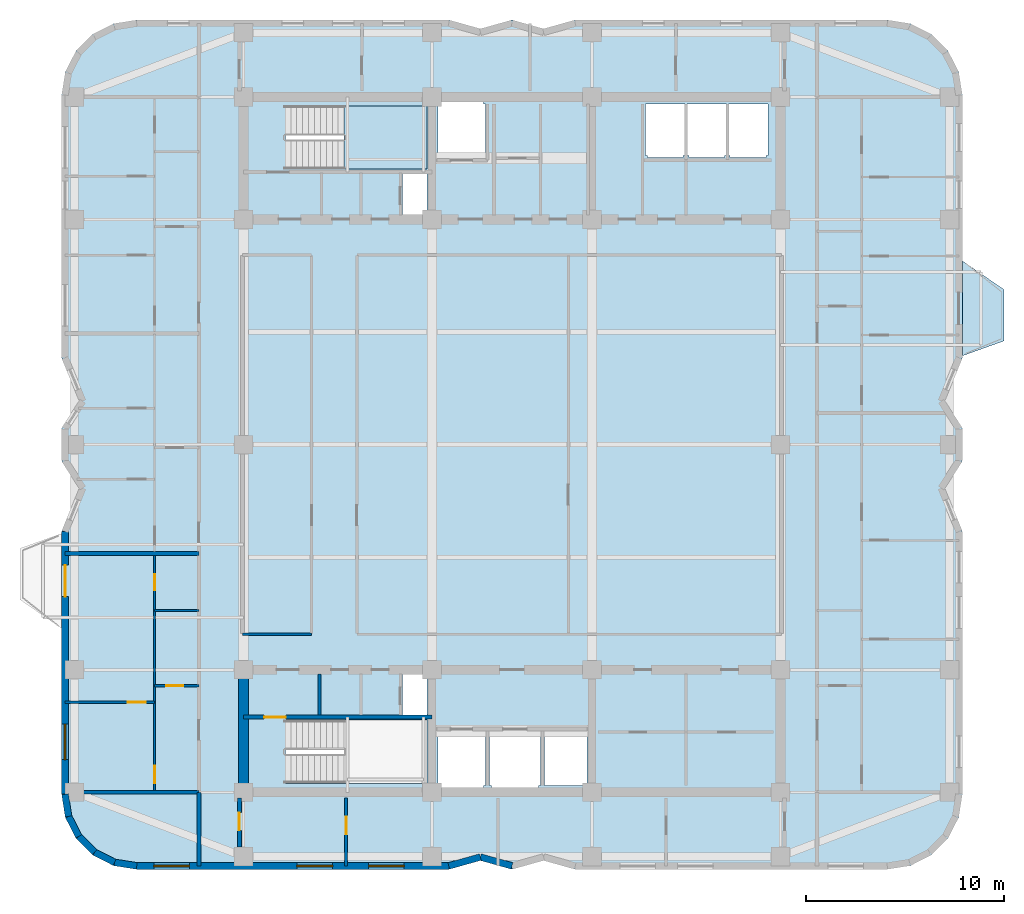
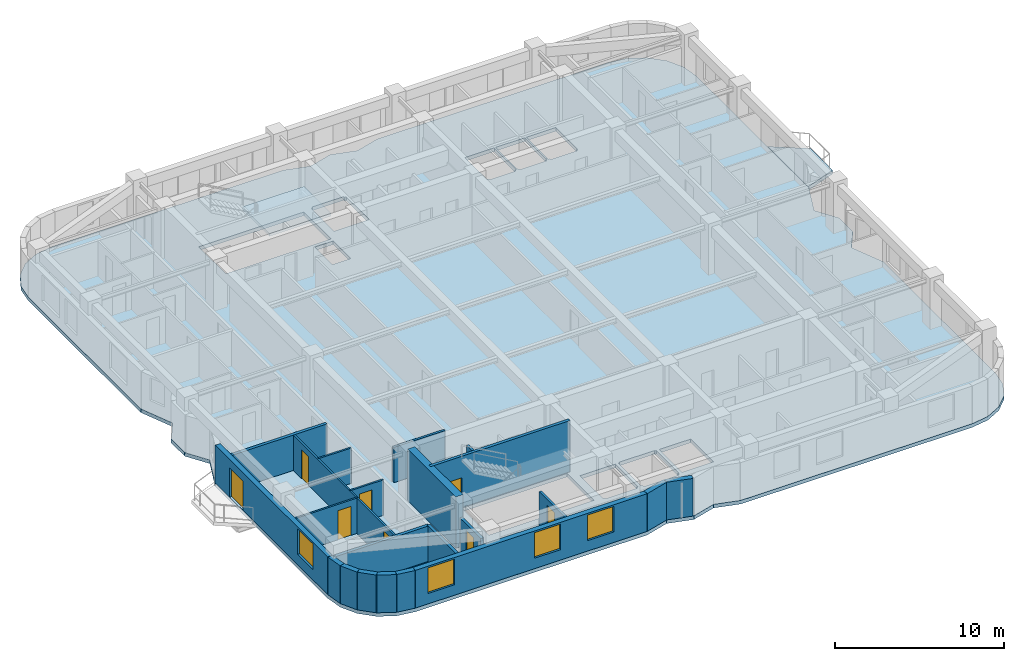
# One storey, part 2 of 9: 22 walls, 8 doors, 4 windows, 3 slabs, 12 openings, 1 element without a shape of its own.
"""IFC4 building model written with IfcOpenShell, lengths in metres."""

from ifc_helpers import new_model, si_unit, direction, frame, frame_2d, origin, place, context, subcontext, project, spatial, polyline, rectangle, outline, extrude, material, layer, layer_set, type_object, element, fill, aggregate, save


model = new_model("IFC4")

# Units and contexts
model_context = context("Model", 3, precision=1e-05, world=origin(), true_north=direction((0.0, 1.0)))
body_context = subcontext(model_context, "Body", "Model", "MODEL_VIEW")
ifc_project = project(units=[si_unit("LENGTHUNIT", "METRE"), si_unit("AREAUNIT", "SQUARE_METRE"), si_unit("VOLUMEUNIT", "CUBIC_METRE"), si_unit("PLANEANGLEUNIT", "RADIAN"), si_unit("MASSUNIT", "GRAM", prefix="KILO")], contexts=[model_context])

# Site, building, storey
site_placement = place(None, origin())
site = spatial("IfcSite", under=ifc_project, at=site_placement, CompositionType="ELEMENT")
building_placement = place(site_placement, origin())
building = spatial("IfcBuilding", under=site, at=building_placement, Name="Svetorya Sky Lyceum", CompositionType="ELEMENT")
storey_placement = place(building_placement, frame((0.0, 0.0, 162.60009765625)))
storey = spatial("IfcBuildingStorey", under=building, at=storey_placement, Name="L40", CompositionType="ELEMENT", Elevation=162.60009765625)

# Slab
ifc_material_1 = material(Name="Concrete C40/50", Category="concrete")
ifc_layer_1 = layer(ifc_material_1, 0.260009765625)
ifc_layer_set_1 = layer_set([ifc_layer_1], Name="Concrete C40/50")
slab_type_1 = type_object("IfcSlabType", Name="SL-BAL-260", PredefinedType="FLOOR", material=ifc_layer_set_1)
slab_1_placement = place(storey_placement, frame((0.0, 0.0, -0.260009765625)))
element("IfcSlab", 1, at=slab_1_placement, inside=storey, type_object=slab_type_1, Name="L40 Chamfered Loggia Balcony BAL-E1", PredefinedType="FLOOR", context=body_context, shape_type="SweptSolid", body=[
    extrude(outline(polyline([(62.010009765625, 32.699951171875), (64.110107421875, 33.449951171875), (64.110107421875, 36.050048828125), (62.010009765625, 37.5), (62.010009765625, 32.699951171875)])), origin(), (0.0, 0.0, 1.0), 0.260009765625),
])

# Stair, slab
stair_type = type_object("IfcStairType", Name="STR-ST-N", PredefinedType="HALF_TURN_STAIR", material=ifc_material_1)
stair_placement = place(storey_placement, origin())
stair = element("IfcStair", 2, at=stair_placement, inside=storey, type_object=stair_type, Name="L40 North Core Smoke-Free Exit Stair N3", PredefinedType="HALF_TURN_STAIR")
ifc_layer_2 = layer(ifc_material_1, 0.199951171875)
ifc_layer_set_2 = layer_set([ifc_layer_2], Name="Concrete C40/50")
slab_type_2 = type_object("IfcSlabType", Name="SL-STR-LAND-200", PredefinedType="LANDING", material=ifc_layer_set_2)
slab_2_placement = place(storey_placement, frame((0.0, 0.0, 1.64990234375)))
slab_2 = element("IfcSlab", 3, at=slab_2_placement, type_object=slab_type_2, Name="ST-N landing 1", PredefinedType="LANDING", context=body_context, shape_type="SweptSolid", body=[
    extrude(outline(polyline([(30.699951171875, 42.14990234375), (34.89990234375, 42.14990234375), (34.89990234375, 45.35009765625), (30.699951171875, 45.35009765625), (30.699951171875, 42.14990234375)])), origin(), (0.0, 0.0, 1.0), 0.199951171875),
])
aggregate(stair, [slab_2])

# Slab
ifc_material_2 = material(Name="Concrete C50/60", Category="concrete")
ifc_layer_3 = layer(ifc_material_2, 0.260009765625)
ifc_layer_set_3 = layer_set([ifc_layer_3], Name="Concrete C50/60")
slab_type_3 = type_object("IfcSlabType", Name="SL-TWR-260", PredefinedType="FLOOR", material=ifc_layer_set_3)
slab_3_placement = place(storey_placement, frame((0.0, 0.0, -0.260009765625)))
element("IfcSlab", 4, at=slab_3_placement, inside=storey, type_object=slab_type_3, Name="L40 Structural Floor Slab", PredefinedType="FLOOR", context=body_context, shape_type="SweptSolid", body=[
    extrude(outline(polyline([(16.39990234375, 10.5), (16.5859375, 9.32568359375), (17.125732421875, 8.266357421875), (17.96630859375, 7.42578125), (19.025634765625, 6.885986328125), (20.199951171875, 6.699951171875), (36.0, 6.699951171875), (37.60009765625, 7.14990234375), (39.199951171875, 6.699951171875), (40.800048828125, 7.14990234375), (42.39990234375, 6.699951171875), (58.199951171875, 6.699951171875), (59.374267578125, 6.885986328125), (60.43359375, 7.42578125), (61.2744140625, 8.266357421875), (61.81396484375, 9.32568359375), (62.0, 10.5), (62.0, 23.800048828125), (61.10009765625, 26.0), (62.0, 27.39990234375), (62.0, 29.0), (61.10009765625, 30.39990234375), (62.0, 32.60009765625), (62.0, 45.89990234375), (61.81396484375, 47.07421875), (61.2744140625, 48.133544921875), (60.43359375, 48.974365234375), (59.374267578125, 49.513916015625), (58.199951171875, 49.699951171875), (42.39990234375, 49.699951171875), (40.800048828125, 49.25), (39.199951171875, 49.699951171875), (37.60009765625, 49.25), (36.0, 49.699951171875), (20.199951171875, 49.699951171875), (19.025634765625, 49.513916015625), (17.96630859375, 48.974365234375), (17.125732421875, 48.133544921875), (16.5859375, 47.07421875), (16.39990234375, 45.89990234375), (16.39990234375, 32.60009765625), (17.300048828125, 30.39990234375), (16.39990234375, 29.0), (16.39990234375, 27.39990234375), (17.300048828125, 26.0), (16.39990234375, 23.800048828125), (16.39990234375, 10.5)]), holes=[polyline([(37.85009765625, 10.949951171875), (37.75, 10.949951171875), (37.75, 10.85009765625), (35.550048828125, 10.85009765625), (35.550048828125, 10.949951171875), (35.449951171875, 10.949951171875), (35.449951171875, 13.64990234375), (35.550048828125, 13.64990234375), (37.75, 13.64990234375), (37.85009765625, 13.64990234375), (37.85009765625, 10.949951171875)]), polyline([(38.14990234375, 10.800048828125), (38.14990234375, 10.949951171875), (38.050048828125, 10.949951171875), (38.050048828125, 13.64990234375), (38.14990234375, 13.64990234375), (38.14990234375, 13.699951171875), (40.550048828125, 13.699951171875), (40.550048828125, 13.64990234375), (40.64990234375, 13.64990234375), (40.64990234375, 10.949951171875), (40.550048828125, 10.949951171875), (40.550048828125, 10.800048828125), (38.14990234375, 10.800048828125)]), polyline([(27.719970703125, 11.050048828125), (27.719970703125, 14.25), (34.89990234375, 14.25), (34.89990234375, 11.050048828125), (27.719970703125, 11.050048828125)]), polyline([(33.64990234375, 14.52001953125), (33.64990234375, 16.580078125), (34.89990234375, 16.580078125), (34.89990234375, 14.52001953125), (33.64990234375, 14.52001953125)]), polyline([(33.64990234375, 39.820068359375), (33.64990234375, 41.89990234375), (34.89990234375, 41.89990234375), (34.89990234375, 39.820068359375), (33.64990234375, 39.820068359375)]), polyline([(27.719970703125, 42.14990234375), (27.719970703125, 45.35009765625), (34.89990234375, 45.35009765625), (34.89990234375, 42.14990234375), (27.719970703125, 42.14990234375)]), polyline([(37.75, 42.75), (35.550048828125, 42.75), (35.449951171875, 42.75), (35.449951171875, 45.449951171875), (35.550048828125, 45.449951171875), (35.550048828125, 45.550048828125), (37.75, 45.550048828125), (37.75, 45.449951171875), (37.85009765625, 45.449951171875), (37.85009765625, 42.75), (37.75, 42.75)]), polyline([(40.85009765625, 10.949951171875), (40.85009765625, 13.64990234375), (43.0, 13.64990234375), (43.0, 10.949951171875), (40.85009765625, 10.949951171875)]), polyline([(46.050048828125, 42.75), (46.050048828125, 42.85009765625), (45.949951171875, 42.85009765625), (45.949951171875, 45.449951171875), (46.050048828125, 45.449951171875), (47.85009765625, 45.449951171875), (47.949951171875, 45.449951171875), (47.949951171875, 42.85009765625), (47.85009765625, 42.85009765625), (47.85009765625, 42.75), (46.050048828125, 42.75)]), polyline([(50.050048828125, 42.85009765625), (49.949951171875, 42.85009765625), (49.949951171875, 42.75), (48.14990234375, 42.75), (48.14990234375, 42.85009765625), (48.050048828125, 42.85009765625), (48.050048828125, 45.449951171875), (48.14990234375, 45.449951171875), (49.949951171875, 45.449951171875), (50.050048828125, 45.449951171875), (50.050048828125, 42.85009765625)]), polyline([(52.14990234375, 42.85009765625), (52.050048828125, 42.85009765625), (52.050048828125, 42.75), (50.25, 42.75), (50.25, 42.85009765625), (50.14990234375, 42.85009765625), (50.14990234375, 45.449951171875), (50.25, 45.449951171875), (52.050048828125, 45.449951171875), (52.14990234375, 45.449951171875), (52.14990234375, 42.85009765625)])]), origin(), (0.0, 0.0, 1.0), 0.260009765625),
])

# Walls
ifc_layer_4 = layer(ifc_material_2, 0.5)
ifc_layer_set_4 = layer_set([ifc_layer_4], Name="Concrete C50/60")
wall_type_1 = type_object("IfcWallType", Name="WL-CORE-500", PredefinedType="SHEAR", material=ifc_layer_set_4)
wall_1_placement = place(storey_placement, frame((25.60009765625, 10.85009765625, 0.0), z_axis=(0.0, 0.0, 1.0), x_axis=(0.0, 1.0, 0.0)))
element("IfcWall", 5, at=wall_1_placement, inside=storey, type_object=wall_type_1, Name="L40 SC West Core Shear Wall", PredefinedType="SHEAR", context=body_context, shape_type="SweptSolid", body=[
    extrude(rectangle(XDim=5.699951171875, YDim=0.5, at=frame_2d((2.85009765625, 0.0))), origin(), (0.0, 0.0, 1.0), 3.699951171875),
])
ifc_material_3 = material(Name="Putilovo limestone rainscreen on autoclaved cellular masonry", Category="masonry")
ifc_layer_5 = layer(ifc_material_3, 0.340087890625)
ifc_layer_set_5 = layer_set([ifc_layer_5], Name="Putilovo limestone rainscreen on autoclaved cellular masonry")
wall_type_2 = type_object("IfcWallType", Name="WL-EXT-340", PredefinedType="SOLIDWALL", material=ifc_layer_set_5)
wall_2_placement = place(storey_placement, frame((16.570068359375, 10.5, 0.0), z_axis=(0.0, 0.0, 1.0), x_axis=(0.156514556949, -0.987675651954, 0.0)))
element("IfcWall", 6, at=wall_2_placement, inside=storey, type_object=wall_type_2, Name="L40 Limestone Exterior Wall 1M", PredefinedType="SOLIDWALL", context=body_context, shape_type="SweptSolid", body=[
    extrude(rectangle(XDim=1.135498046875, YDim=0.340087890625, at=frame_2d((0.56787109375, 0.0))), origin(), (0.0, 0.0, 1.0), 2.719970703125),
])
for number, where, z_axis, x_axis, name in (
    (7, (16.747802734375, 9.37841796875, 0.0), (0.0, 0.0, 1.0), (0.45373580117, -0.891136253744, 0.0), "L40 Limestone Exterior Wall 2M"),
    (8, (17.26318359375, 8.3662109375, 0.0), (0.0, 0.0, 1.0), (0.707214252388, -0.706999293649, 0.0), "L40 Limestone Exterior Wall 3M"),
    (9, (18.06640625, 7.563232421875, 0.0), (0.0, 0.0, 1.0), (0.891005044957, -0.453993402883, 0.0), "L40 Limestone Exterior Wall 4M"),
):
    element("IfcWall", number, at=place(storey_placement, frame(where, z_axis=z_axis, x_axis=x_axis)), inside=storey, type_object=wall_type_2, Name=name, PredefinedType="SOLIDWALL", context=body_context, shape_type="SweptSolid", body=[
        extrude(rectangle(XDim=1.1357421875, YDim=0.340087890625, at=frame_2d((0.56787109375, 0.0))), origin(), (0.0, 0.0, 1.0), 2.719970703125),
    ])
wall_3_placement = place(storey_placement, frame((19.078369140625, 7.047607421875, 0.0), z_axis=(0.0, 0.0, 1.0), x_axis=(0.987708865555, -0.156304820474, 0.0)))
element("IfcWall", 10, at=wall_3_placement, inside=storey, type_object=wall_type_2, Name="L40 Limestone Exterior Wall 5M", PredefinedType="SOLIDWALL", context=body_context, shape_type="SweptSolid", body=[
    extrude(rectangle(XDim=1.135498046875, YDim=0.340087890625, at=frame_2d((0.56787109375, 0.0))), origin(), (0.0, 0.0, 1.0), 2.719970703125),
])

# Wall, openings, windows
wall_4_placement = place(storey_placement, frame((20.199951171875, 6.8701171875, 0.0), z_axis=(0.0, 0.0, 1.0), x_axis=(1.0, 0.0, 0.0)))
wall_4 = element("IfcWall", 11, at=wall_4_placement, inside=storey, type_object=wall_type_2, Name="L40 Limestone Exterior Wall 6M", PredefinedType="SOLIDWALL", context=body_context, shape_type="SweptSolid", body=[
    extrude(rectangle(XDim=15.800048828125, YDim=0.340087890625, at=frame_2d((7.89990234375, 0.0))), origin(), (0.0, 0.0, 1.0), 2.719970703125),
])
opening_1_placement = place(wall_4_placement, frame((0.862548828125, 0.0, 0.75)))
opening_1 = element("IfcOpeningElement", 12, at=opening_1_placement, cuts=wall_4, Name="Opening W-R1", PredefinedType="OPENING", context=body_context, shape_type="SweptSolid", body=[
    extrude(rectangle(XDim=1.800048828125, YDim=1.85009765625, at=frame_2d((0.89990234375, 0.925048828125))), frame((0.0, 0.179931640625, 0.0), z_axis=(0.0, -1.0, 0.0), x_axis=(1.0, 0.0, 0.0)), (0.0, 0.0, 1.0), 0.360107421875),
])
opening_2_placement = place(wall_4_placement, frame((8.112548828125, 0.0, 0.75)))
opening_2 = element("IfcOpeningElement", 13, at=opening_2_placement, cuts=wall_4, Name="Opening W-R1", PredefinedType="OPENING", context=body_context, shape_type="SweptSolid", body=[
    extrude(rectangle(XDim=1.800048828125, YDim=1.85009765625, at=frame_2d((0.89990234375, 0.925048828125))), frame((0.0, 0.179931640625, 0.0), z_axis=(0.0, -1.0, 0.0), x_axis=(1.0, 0.0, 0.0)), (0.0, 0.0, 1.0), 0.360107421875),
])
opening_3_placement = place(wall_4_placement, frame((11.737548828125, 0.0, 0.75)))
opening_3 = element("IfcOpeningElement", 14, at=opening_3_placement, cuts=wall_4, Name="Opening W-R1", PredefinedType="OPENING", context=body_context, shape_type="SweptSolid", body=[
    extrude(rectangle(XDim=1.800048828125, YDim=1.85009765625, at=frame_2d((0.89990234375, 0.925048828125))), frame((0.0, 0.179931640625, 0.0), z_axis=(0.0, -1.0, 0.0), x_axis=(1.0, 0.0, 0.0)), (0.0, 0.0, 1.0), 0.360107421875),
])
ifc_material_4 = material(Name="Thermally broken aluminium frame with triple low-E glazing", Category="aluminium")
window_type = type_object("IfcWindowType", Name="WN-RES-180", PartitioningType="DOUBLE_PANEL_VERTICAL", PredefinedType="WINDOW", material=ifc_material_4)
window_1_placement = place(opening_1_placement, origin())
window_1 = element("IfcWindow", 15, at=window_1_placement, inside=storey, type_object=window_type, Name="L40 Facade Window W-R1.6M.1", OverallHeight=1.85009765625, OverallWidth=1.800048828125, PartitioningType="SINGLE_PANEL", PredefinedType="WINDOW", context=body_context, shape_type="SweptSolid", body=[
    extrude(rectangle(XDim=1.800048828125, YDim=1.85009765625, at=frame_2d((0.89990234375, 0.925048828125))), frame((0.0, 0.030029296875, 0.0), z_axis=(0.0, -1.0, 0.0), x_axis=(1.0, 0.0, 0.0)), (0.0, 0.0, 1.0), 0.06005859375),
])
fill(opening_1, window_1)
window_2_placement = place(opening_2_placement, origin())
window_2 = element("IfcWindow", 16, at=window_2_placement, inside=storey, type_object=window_type, Name="L40 Facade Window W-R1.6M.2", OverallHeight=1.85009765625, OverallWidth=1.800048828125, PartitioningType="SINGLE_PANEL", PredefinedType="WINDOW", context=body_context, shape_type="SweptSolid", body=[
    extrude(rectangle(XDim=1.800048828125, YDim=1.85009765625, at=frame_2d((0.89990234375, 0.925048828125))), frame((0.0, 0.030029296875, 0.0), z_axis=(0.0, -1.0, 0.0), x_axis=(1.0, 0.0, 0.0)), (0.0, 0.0, 1.0), 0.06005859375),
])
fill(opening_2, window_2)
window_3_placement = place(opening_3_placement, origin())
window_3 = element("IfcWindow", 17, at=window_3_placement, inside=storey, type_object=window_type, Name="L40 Facade Window W-R1.6M.3", OverallHeight=1.85009765625, OverallWidth=1.800048828125, PartitioningType="SINGLE_PANEL", PredefinedType="WINDOW", context=body_context, shape_type="SweptSolid", body=[
    extrude(rectangle(XDim=1.800048828125, YDim=1.85009765625, at=frame_2d((0.89990234375, 0.925048828125))), frame((0.0, 0.030029296875, 0.0), z_axis=(0.0, -1.0, 0.0), x_axis=(1.0, 0.0, 0.0)), (0.0, 0.0, 1.0), 0.06005859375),
])
fill(opening_3, window_3)

# Walls
wall_5_placement = place(storey_placement, frame((36.0, 6.8701171875, 0.0), z_axis=(0.0, 0.0, 1.0), x_axis=(0.962662902433, 0.270703040766, 0.0)))
element("IfcWall", 18, at=wall_5_placement, inside=storey, type_object=wall_type_2, Name="L40 Limestone Exterior Wall 7M", PredefinedType="SOLIDWALL", context=body_context, shape_type="SweptSolid", body=[
    extrude(rectangle(XDim=1.662109375, YDim=0.340087890625, at=frame_2d((0.8310546875, 0.0))), origin(), (0.0, 0.0, 1.0), 2.719970703125),
])
wall_6_placement = place(storey_placement, frame((37.60009765625, 7.320068359375, 0.0), z_axis=(0.0, 0.0, 1.0), x_axis=(0.962652136636, -0.270741322725, 0.0)))
element("IfcWall", 19, at=wall_6_placement, inside=storey, type_object=wall_type_2, Name="L40 Limestone Exterior Wall 8M", PredefinedType="SOLIDWALL", context=body_context, shape_type="SweptSolid", body=[
    extrude(rectangle(XDim=1.661865234375, YDim=0.340087890625, at=frame_2d((0.8310546875, 0.0))), origin(), (0.0, 0.0, 1.0), 2.719970703125),
])

# Wall, openings, door, window
wall_7_placement = place(storey_placement, frame((16.570068359375, 23.800048828125, 0.0), z_axis=(0.0, 0.0, 1.0), x_axis=(0.0, -1.0, 0.0)))
wall_7 = element("IfcWall", 20, at=wall_7_placement, inside=storey, type_object=wall_type_2, Name="L40 Limestone Exterior Wall 46M", PredefinedType="SOLIDWALL", context=body_context, shape_type="SweptSolid", body=[
    extrude(rectangle(XDim=13.300048828125, YDim=0.340087890625, at=frame_2d((6.64990234375, 0.0))), origin(), (0.0, 0.0, 1.0), 2.719970703125),
])
opening_4_placement = place(wall_7_placement, frame((1.699951171875, 0.0, 0.0)))
opening_4 = element("IfcOpeningElement", 21, at=opening_4_placement, cuts=wall_7, Name="Opening D-BL1", PredefinedType="OPENING", context=body_context, shape_type="SweptSolid", body=[
    extrude(rectangle(XDim=1.60009765625, YDim=2.10009765625, at=frame_2d((0.800048828125, 1.050048828125))), frame((0.0, 0.179931640625, 0.0), z_axis=(0.0, -1.0, 0.0), x_axis=(1.0, 0.0, 0.0)), (0.0, 0.0, 1.0), 0.360107421875),
])
opening_5_placement = place(wall_7_placement, frame((9.75, 0.0, 0.75)))
opening_5 = element("IfcOpeningElement", 22, at=opening_5_placement, cuts=wall_7, Name="Opening W-R1", PredefinedType="OPENING", context=body_context, shape_type="SweptSolid", body=[
    extrude(rectangle(XDim=1.800048828125, YDim=1.85009765625, at=frame_2d((0.89990234375, 0.925048828125))), frame((0.0, 0.179931640625, 0.0), z_axis=(0.0, -1.0, 0.0), x_axis=(1.0, 0.0, 0.0)), (0.0, 0.0, 1.0), 0.360107421875),
])
ifc_material_5 = material(Name="Insulated glazed aluminium balcony door", Category="aluminium")
door_type_1 = type_object("IfcDoorType", Name="DR-BAL-1600", OperationType="DOUBLE_DOOR_SINGLE_SWING", PredefinedType="DOOR", material=ifc_material_5)
door_1_placement = place(opening_4_placement, origin())
door_1 = element("IfcDoor", 23, at=door_1_placement, inside=storey, type_object=door_type_1, Name="L40 Balcony BAL-W1 Door", OperationType="DOUBLE_DOOR_SINGLE_SWING", OverallHeight=2.10009765625, OverallWidth=1.60009765625, PredefinedType="DOOR", context=body_context, shape_type="SweptSolid", body=[
    extrude(rectangle(XDim=1.60009765625, YDim=2.10009765625, at=frame_2d((0.800048828125, 1.050048828125))), frame((0.0, 0.02490234375, 0.0), z_axis=(0.0, -1.0, 0.0), x_axis=(1.0, 0.0, 0.0)), (0.0, 0.0, 1.0), 0.050048828125),
])
fill(opening_4, door_1)
window_4_placement = place(opening_5_placement, origin())
window_4 = element("IfcWindow", 24, at=window_4_placement, inside=storey, type_object=window_type, Name="L40 Facade Window W-R1.46M.1", OverallHeight=1.85009765625, OverallWidth=1.800048828125, PartitioningType="SINGLE_PANEL", PredefinedType="WINDOW", context=body_context, shape_type="SweptSolid", body=[
    extrude(rectangle(XDim=1.800048828125, YDim=1.85009765625, at=frame_2d((0.89990234375, 0.925048828125))), frame((0.0, 0.030029296875, 0.0), z_axis=(0.0, -1.0, 0.0), x_axis=(1.0, 0.0, 0.0)), (0.0, 0.0, 1.0), 0.06005859375),
])
fill(opening_5, window_4)

# Wall, opening, door
ifc_material_6 = material(Name="Twin-stud galvanized framing with double fireboard", Category="gypsum")
ifc_layer_6 = layer(ifc_material_6, 0.1201171875)
ifc_layer_set_6 = layer_set([ifc_layer_6], Name="Twin-stud galvanized framing with double fireboard")
wall_type_3 = type_object("IfcWallType", Name="WL-PART-120", PredefinedType="PARTITIONING", material=ifc_layer_set_6)
wall_8_placement = place(storey_placement, frame((21.10009765625, 16.0, 0.0), z_axis=(0.0, 0.0, 1.0), x_axis=(1.0, 0.0, 0.0)))
wall_8 = element("IfcWall", 25, at=wall_8_placement, inside=storey, type_object=wall_type_3, Name="L40 Interior Partition W1-WH1", PredefinedType="PARTITIONING", context=body_context, shape_type="SweptSolid", body=[
    extrude(rectangle(XDim=2.25, YDim=0.1201171875, at=frame_2d((1.125, 0.0))), origin(), (0.0, 0.0, 1.0), 2.5498046875),
])
opening_6_placement = place(wall_8_placement, frame((0.60009765625, 0.0, 0.0)))
opening_6 = element("IfcOpeningElement", 26, at=opening_6_placement, cuts=wall_8, Name="Opening D-BT1", PredefinedType="OPENING", context=body_context, shape_type="SweptSolid", body=[
    extrude(rectangle(XDim=0.85009765625, YDim=2.10009765625, at=frame_2d((0.425048828125, 1.050048828125))), frame((0.0, 0.070068359375, 0.0), z_axis=(0.0, -1.0, 0.0), x_axis=(1.0, 0.0, 0.0)), (0.0, 0.0, 1.0), 0.14013671875),
])
ifc_material_7 = material(Name="Moisture-resistant laminate bathroom door")
door_type_2 = type_object("IfcDoorType", Name="DR-WET-850", OperationType="SINGLE_SWING_LEFT", PredefinedType="DOOR", material=ifc_material_7)
door_2_placement = place(opening_6_placement, origin())
door_2 = element("IfcDoor", 27, at=door_2_placement, inside=storey, type_object=door_type_2, Name="Apartment W1 Bathroom Door", OperationType="SINGLE_SWING_LEFT", OverallHeight=2.10009765625, OverallWidth=0.85009765625, PredefinedType="DOOR", context=body_context, shape_type="SweptSolid", body=[
    extrude(rectangle(XDim=0.85009765625, YDim=2.10009765625, at=frame_2d((0.425048828125, 1.050048828125))), frame((0.0, 0.02490234375, 0.0), z_axis=(0.0, -1.0, 0.0), x_axis=(1.0, 0.0, 0.0)), (0.0, 0.0, 1.0), 0.050048828125),
])
fill(opening_6, door_2)

# Wall
wall_9_placement = place(storey_placement, frame((21.10009765625, 19.800048828125, 0.0), z_axis=(0.0, 0.0, 1.0), x_axis=(1.0, 0.0, 0.0)))
element("IfcWall", 28, at=wall_9_placement, inside=storey, type_object=wall_type_3, Name="L40 Interior Partition W1-WH2", PredefinedType="PARTITIONING", context=body_context, shape_type="SweptSolid", body=[
    extrude(rectangle(XDim=2.25, YDim=0.1201171875, at=frame_2d((1.125, 0.0))), origin(), (0.0, 0.0, 1.0), 2.5498046875),
])

# Wall, opening, door
wall_10_placement = place(storey_placement, frame((16.570068359375, 15.14990234375, 0.0), z_axis=(0.0, 0.0, 1.0), x_axis=(1.0, 0.0, 0.0)))
wall_10 = element("IfcWall", 29, at=wall_10_placement, inside=storey, type_object=wall_type_3, Name="L40 Interior Partition W1-WL1", PredefinedType="PARTITIONING", context=body_context, shape_type="SweptSolid", body=[
    extrude(rectangle(XDim=4.530029296875, YDim=0.1201171875, at=frame_2d((2.26513671875, 0.0))), origin(), (0.0, 0.0, 1.0), 2.5498046875),
])
opening_7_placement = place(wall_10_placement, frame((3.179931640625, 0.0, 0.0)))
opening_7 = element("IfcOpeningElement", 30, at=opening_7_placement, cuts=wall_10, Name="Opening D-RM1", PredefinedType="OPENING", context=body_context, shape_type="SweptSolid", body=[
    extrude(rectangle(XDim=0.89990234375, YDim=2.10009765625, at=frame_2d((0.449951171875, 1.050048828125))), frame((0.0, 0.070068359375, 0.0), z_axis=(0.0, -1.0, 0.0), x_axis=(1.0, 0.0, 0.0)), (0.0, 0.0, 1.0), 0.14013671875),
])
ifc_material_8 = material(Name="Lacquered birch veneer internal door")
door_type_3 = type_object("IfcDoorType", Name="DR-INT-900", OperationType="SINGLE_SWING_LEFT", PredefinedType="DOOR", material=ifc_material_8)
door_3_placement = place(opening_7_placement, origin())
door_3 = element("IfcDoor", 31, at=door_3_placement, inside=storey, type_object=door_type_3, Name="Apartment W1 Bedroom 1 Door", OperationType="SINGLE_SWING_LEFT", OverallHeight=2.10009765625, OverallWidth=0.89990234375, PredefinedType="DOOR", context=body_context, shape_type="SweptSolid", body=[
    extrude(rectangle(XDim=0.89990234375, YDim=2.10009765625, at=frame_2d((0.449951171875, 1.050048828125))), frame((0.0, 0.02490234375, 0.0), z_axis=(0.0, -1.0, 0.0), x_axis=(1.0, 0.0, 0.0)), (0.0, 0.0, 1.0), 0.050048828125),
])
fill(opening_7, door_3)

# Wall, openings, doors
wall_11_placement = place(storey_placement, frame((21.10009765625, 10.639892578125, 0.0), z_axis=(0.0, 0.0, 1.0), x_axis=(0.0, 1.0, 0.0)))
wall_11 = element("IfcWall", 32, at=wall_11_placement, inside=storey, type_object=wall_type_3, Name="L40 Interior Partition W1-WV", PredefinedType="PARTITIONING", context=body_context, shape_type="SweptSolid", body=[
    extrude(rectangle(XDim=12.02001953125, YDim=0.1201171875, at=frame_2d((6.010009765625, 0.0))), origin(), (0.0, 0.0, 1.0), 2.5498046875),
])
opening_8_placement = place(wall_11_placement, frame((0.409912109375, 0.0, 0.0)))
opening_8 = element("IfcOpeningElement", 33, at=opening_8_placement, cuts=wall_11, Name="Opening D-RM1", PredefinedType="OPENING", context=body_context, shape_type="SweptSolid", body=[
    extrude(rectangle(XDim=0.89990234375, YDim=2.10009765625, at=frame_2d((0.449951171875, 1.050048828125))), frame((0.0, 0.070068359375, 0.0), z_axis=(0.0, -1.0, 0.0), x_axis=(1.0, 0.0, 0.0)), (0.0, 0.0, 1.0), 0.14013671875),
])
opening_9_placement = place(wall_11_placement, frame((10.18505859375, 0.0, 0.0)))
opening_9 = element("IfcOpeningElement", 34, at=opening_9_placement, cuts=wall_11, Name="Opening D-BT2", PredefinedType="OPENING", context=body_context, shape_type="SweptSolid", body=[
    extrude(rectangle(XDim=0.820068359375, YDim=2.080078125, at=frame_2d((0.41015625, 1.0400390625))), frame((0.0, 0.070068359375, 0.0), z_axis=(0.0, -1.0, 0.0), x_axis=(1.0, 0.0, 0.0)), (0.0, 0.0, 1.0), 0.14013671875),
])
door_4_placement = place(opening_8_placement, origin())
door_4 = element("IfcDoor", 35, at=door_4_placement, inside=storey, type_object=door_type_3, Name="Apartment W1 Living Door", OperationType="SINGLE_SWING_RIGHT", OverallHeight=2.10009765625, OverallWidth=0.89990234375, PredefinedType="DOOR", context=body_context, shape_type="SweptSolid", body=[
    extrude(rectangle(XDim=0.89990234375, YDim=2.10009765625, at=frame_2d((0.449951171875, 1.050048828125))), frame((0.0, 0.02490234375, 0.0), z_axis=(0.0, -1.0, 0.0), x_axis=(1.0, 0.0, 0.0)), (0.0, 0.0, 1.0), 0.050048828125),
])
fill(opening_8, door_4)
ifc_material_9 = material(Name="Compact moisture-resistant laminate closet door")
door_type_4 = type_object("IfcDoorType", Name="DR-WET-820", OperationType="SINGLE_SWING_LEFT", PredefinedType="DOOR", material=ifc_material_9)
door_5_placement = place(opening_9_placement, origin())
door_5 = element("IfcDoor", 36, at=door_5_placement, inside=storey, type_object=door_type_4, Name="Apartment W1 Study Door", OperationType="SINGLE_SWING_LEFT", OverallHeight=2.080078125, OverallWidth=0.820068359375, PredefinedType="DOOR", context=body_context, shape_type="SweptSolid", body=[
    extrude(rectangle(XDim=0.820068359375, YDim=2.080078125, at=frame_2d((0.41015625, 1.0400390625))), frame((0.0, 0.02490234375, 0.0), z_axis=(0.0, -1.0, 0.0), x_axis=(1.0, 0.0, 0.0)), (0.0, 0.0, 1.0), 0.050048828125),
])
fill(opening_9, door_5)

# Walls
ifc_material_10 = material(Name="Autoclaved cellular masonry blockwork with acoustic render", Category="masonry")
ifc_layer_7 = layer(ifc_material_10, 0.14990234375)
ifc_layer_set_7 = layer_set([ifc_layer_7], Name="Autoclaved cellular masonry blockwork with acoustic render")
wall_type_4 = type_object("IfcWallType", Name="WL-PART-150", PredefinedType="PARTITIONING", material=ifc_layer_set_7)
wall_12_placement = place(storey_placement, frame((29.449951171875, 14.5, 0.0), z_axis=(0.0, 0.0, 1.0), x_axis=(0.0, 1.0, 0.0)))
element("IfcWall", 37, at=wall_12_placement, inside=storey, type_object=wall_type_4, Name="L40 Interior Partition SC-SWD1", PredefinedType="PARTITIONING", context=body_context, shape_type="SweptSolid", body=[
    extrude(rectangle(XDim=2.080078125, YDim=0.14990234375, at=frame_2d((1.0400390625, 0.0))), origin(), (0.0, 0.0, 1.0), 2.5498046875),
])
wall_13_placement = place(storey_placement, frame((25.550048828125, 18.60009765625, 0.0), z_axis=(0.0, 0.0, 1.0), x_axis=(1.0, 0.0, 0.0)))
element("IfcWall", 38, at=wall_13_placement, inside=storey, type_object=wall_type_4, Name="L40 Interior Partition OFF-CS-W", PredefinedType="PARTITIONING", context=body_context, shape_type="SweptSolid", body=[
    extrude(rectangle(XDim=3.5, YDim=0.14990234375, at=frame_2d((1.75, 0.0))), origin(), (0.0, 0.0, 1.0), 2.5498046875),
])

# Wall, opening, door
wall_14_placement = place(storey_placement, frame((30.800048828125, 6.8701171875, 0.0), z_axis=(0.0, 0.0, 1.0), x_axis=(0.0, 1.0, 0.0)))
wall_14 = element("IfcWall", 39, at=wall_14_placement, inside=storey, type_object=wall_type_4, Name="L40 Interior Partition S4-D1", PredefinedType="PARTITIONING", context=body_context, shape_type="SweptSolid", body=[
    extrude(rectangle(XDim=3.429931640625, YDim=0.14990234375, at=frame_2d((1.71484375, 0.0))), origin(), (0.0, 0.0, 1.0), 2.5498046875),
])
opening_10_placement = place(wall_14_placement, frame((1.60009765625, 0.0, 0.0)))
opening_10 = element("IfcOpeningElement", 40, at=opening_10_placement, cuts=wall_14, Name="Opening D-RM1", PredefinedType="OPENING", context=body_context, shape_type="SweptSolid", body=[
    extrude(rectangle(XDim=0.89990234375, YDim=2.10009765625, at=frame_2d((0.449951171875, 1.050048828125))), frame((0.0, 0.0849609375, 0.0), z_axis=(0.0, -1.0, 0.0), x_axis=(1.0, 0.0, 0.0)), (0.0, 0.0, 1.0), 0.169921875),
])
door_6_placement = place(opening_10_placement, origin())
door_6 = element("IfcDoor", 41, at=door_6_placement, inside=storey, type_object=door_type_3, Name="L40 South Suite Door 1", OperationType="SINGLE_SWING_LEFT", OverallHeight=2.10009765625, OverallWidth=0.89990234375, PredefinedType="DOOR", context=body_context, shape_type="SweptSolid", body=[
    extrude(rectangle(XDim=0.89990234375, YDim=2.10009765625, at=frame_2d((0.449951171875, 1.050048828125))), frame((0.0, 0.02490234375, 0.0), z_axis=(0.0, -1.0, 0.0), x_axis=(1.0, 0.0, 0.0)), (0.0, 0.0, 1.0), 0.050048828125),
])
fill(opening_10, door_6)

# Walls
ifc_material_11 = material(Name="Autoclaved cellular masonry blockwork with gypsum plaster", Category="masonry")
ifc_layer_8 = layer(ifc_material_11, 0.199951171875)
ifc_layer_set_8 = layer_set([ifc_layer_8], Name="Autoclaved cellular masonry blockwork with gypsum plaster")
wall_type_5 = type_object("IfcWallType", Name="WL-PART-200", PredefinedType="PARTITIONING", material=ifc_layer_set_8)
wall_15_placement = place(storey_placement, frame((16.570068359375, 22.699951171875, 0.0), z_axis=(0.0, 0.0, 1.0), x_axis=(1.0, 0.0, 0.0)))
element("IfcWall", 42, at=wall_15_placement, inside=storey, type_object=wall_type_5, Name="L40 Interior Partition W-PARTY-1", PredefinedType="PARTITIONING", context=body_context, shape_type="SweptSolid", body=[
    extrude(rectangle(XDim=6.780029296875, YDim=0.199951171875, at=frame_2d((3.39013671875, 0.0))), origin(), (0.0, 0.0, 1.0), 2.5498046875),
])
wall_16_placement = place(storey_placement, frame((16.989990234375, 10.60009765625, 0.0), z_axis=(0.0, 0.0, 1.0), x_axis=(1.0, 0.0, 0.0)))
element("IfcWall", 43, at=wall_16_placement, inside=storey, type_object=wall_type_5, Name="L40 Interior Partition W-CAP-S", PredefinedType="PARTITIONING", context=body_context, shape_type="SweptSolid", body=[
    extrude(rectangle(XDim=6.360107421875, YDim=0.199951171875, at=frame_2d((3.18017578125, 0.0))), origin(), (0.0, 0.0, 1.0), 2.5498046875),
])
wall_17_placement = place(storey_placement, frame((23.35009765625, 6.8701171875, 0.0), z_axis=(0.0, 0.0, 1.0), x_axis=(0.0, 1.0, 0.0)))
element("IfcWall", 44, at=wall_17_placement, inside=storey, type_object=wall_type_5, Name="L40 Interior Partition WC-SW-END", PredefinedType="PARTITIONING", context=body_context, shape_type="SweptSolid", body=[
    extrude(rectangle(XDim=3.72998046875, YDim=0.199951171875, at=frame_2d((1.864990234375, 0.0))), origin(), (0.0, 0.0, 1.0), 2.5498046875),
])

# Wall, opening, door
wall_18_placement = place(storey_placement, frame((25.39990234375, 7.820068359375, 0.0), z_axis=(0.0, 0.0, 1.0), x_axis=(0.0, 1.0, 0.0)))
wall_18 = element("IfcWall", 45, at=wall_18_placement, inside=storey, type_object=wall_type_5, Name="L40 Interior Partition S4-EW", PredefinedType="PARTITIONING", context=body_context, shape_type="SweptSolid", body=[
    extrude(rectangle(XDim=2.47998046875, YDim=0.199951171875, at=frame_2d((1.239990234375, 0.0))), origin(), (0.0, 0.0, 1.0), 2.5498046875),
])
opening_11_placement = place(wall_18_placement, frame((0.85009765625, 0.0, 0.0)))
opening_11 = element("IfcOpeningElement", 46, at=opening_11_placement, cuts=wall_18, Name="Opening D-RM1", PredefinedType="OPENING", context=body_context, shape_type="SweptSolid", body=[
    extrude(rectangle(XDim=0.89990234375, YDim=2.10009765625, at=frame_2d((0.449951171875, 1.050048828125))), frame((0.0, 0.10986328125, 0.0), z_axis=(0.0, -1.0, 0.0), x_axis=(1.0, 0.0, 0.0)), (0.0, 0.0, 1.0), 0.219970703125),
])
door_7_placement = place(opening_11_placement, origin())
door_7 = element("IfcDoor", 47, at=door_7_placement, inside=storey, type_object=door_type_3, Name="L40 SW Office Door", OperationType="SINGLE_SWING_LEFT", OverallHeight=2.10009765625, OverallWidth=0.89990234375, PredefinedType="DOOR", context=body_context, shape_type="SweptSolid", body=[
    extrude(rectangle(XDim=0.89990234375, YDim=2.10009765625, at=frame_2d((0.449951171875, 1.050048828125))), frame((0.0, 0.02490234375, 0.0), z_axis=(0.0, -1.0, 0.0), x_axis=(1.0, 0.0, 0.0)), (0.0, 0.0, 1.0), 0.050048828125),
])
fill(opening_11, door_7)

ifc_layer_9 = layer(ifc_material_2, 0.199951171875)
ifc_layer_set_9 = layer_set([ifc_layer_9], Name="Concrete C50/60")
wall_type_6 = type_object("IfcWallType", Name="WL-SHW-200", PredefinedType="SHEAR", material=ifc_layer_set_9)
wall_19_placement = place(storey_placement, frame((25.60009765625, 14.39990234375, 0.0), z_axis=(0.0, 0.0, 1.0), x_axis=(1.0, 0.0, 0.0)))
wall_19 = element("IfcWall", 48, at=wall_19_placement, inside=storey, type_object=wall_type_6, Name="L40 Structural Stair Shaft Wall SC-STW", PredefinedType="SHEAR", context=body_context, shape_type="SweptSolid", body=[
    extrude(rectangle(XDim=9.5498046875, YDim=0.199951171875, at=frame_2d((4.77490234375, 0.0))), origin(), (0.0, 0.0, 1.0), 3.699951171875),
])
opening_12_placement = place(wall_19_placement, frame((1.050048828125, 0.0, 0.0)))
opening_12 = element("IfcOpeningElement", 49, at=opening_12_placement, cuts=wall_19, Name="Opening D-ST1", PredefinedType="OPENING", context=body_context, shape_type="SweptSolid", body=[
    extrude(rectangle(XDim=1.10009765625, YDim=2.14990234375, at=frame_2d((0.550048828125, 1.074951171875))), frame((0.0, 0.10986328125, 0.0), z_axis=(0.0, -1.0, 0.0), x_axis=(1.0, 0.0, 0.0)), (0.0, 0.0, 1.0), 0.219970703125),
])
ifc_material_12 = material(Name="Powder-coated insulated galvanized stair fire door")
door_type_5 = type_object("IfcDoorType", Name="DR-FIRE-1100", OperationType="SINGLE_SWING_LEFT", PredefinedType="DOOR", material=ifc_material_12)
door_8_placement = place(opening_12_placement, origin())
door_8 = element("IfcDoor", 50, at=door_8_placement, inside=storey, type_object=door_type_5, Name="L40 Stair ST-S Vestibule Fire Door", OperationType="SINGLE_SWING_LEFT", OverallHeight=2.14990234375, OverallWidth=1.10009765625, PredefinedType="DOOR", context=body_context, shape_type="SweptSolid", body=[
    extrude(rectangle(XDim=1.10009765625, YDim=2.14990234375, at=frame_2d((0.550048828125, 1.074951171875))), frame((0.0, 0.02490234375, 0.0), z_axis=(0.0, -1.0, 0.0), x_axis=(1.0, 0.0, 0.0)), (0.0, 0.0, 1.0), 0.050048828125),
])
fill(opening_12, door_8)

save(model, "model.ifc")
